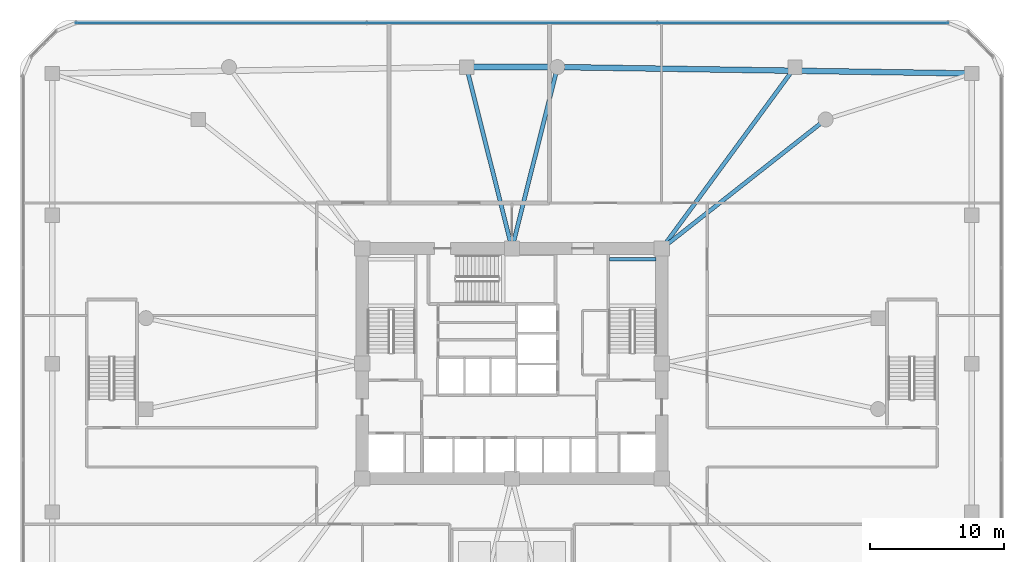
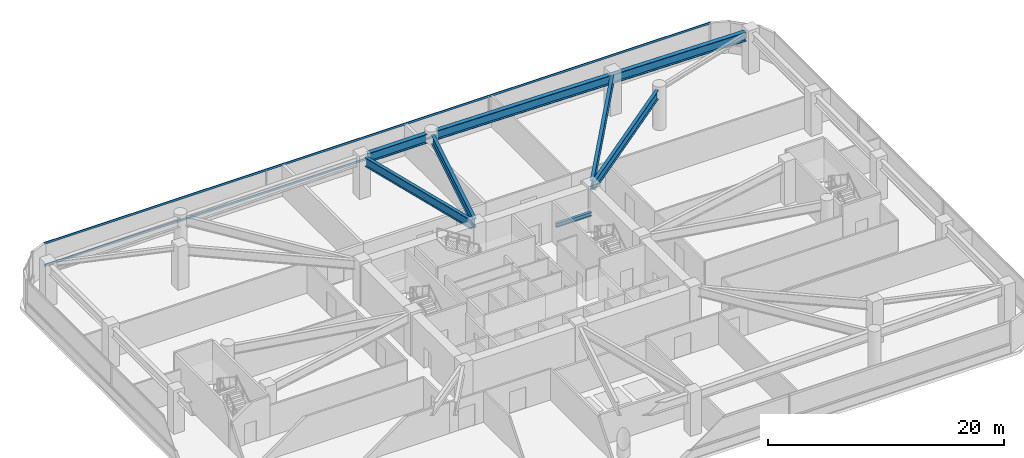
# One storey, part 7 of 21: 7 beams, 2 members, 1 element without a shape of its own.
"""IFC4 building model written with IfcOpenShell, lengths in metres."""

from ifc_helpers import new_model, si_unit, derived_unit, direction, frame, origin, origin_2d, place, context, subcontext, project, spatial, rectangle, i_section, extrude, material, material_profile, profile_set, type_object, element, aggregate, save


model = new_model("IFC4")

# Units and contexts
model_context = context("Model", 3, precision=1e-05, world=origin(), true_north=direction((0.0, 1.0)))
body_context = subcontext(model_context, "Body", "Model", "MODEL_VIEW")
ifc_project = project(units=[si_unit("LENGTHUNIT", "METRE"), si_unit("AREAUNIT", "SQUARE_METRE"), si_unit("VOLUMEUNIT", "CUBIC_METRE"), si_unit("PLANEANGLEUNIT", "RADIAN"), si_unit("MASSUNIT", "GRAM", prefix="KILO"), derived_unit("THERMALTRANSMITTANCEUNIT", [(si_unit("POWERUNIT", "WATT"), 1), (si_unit("LENGTHUNIT", "METRE"), -2), (si_unit("THERMODYNAMICTEMPERATUREUNIT", "KELVIN"), -1)])], contexts=[model_context])

# Site, building, storey
site_placement = place(None, origin())
site = spatial("IfcSite", under=ifc_project, at=site_placement, CompositionType="ELEMENT")
building_placement = place(site_placement, origin())
building = spatial("IfcBuilding", under=site, at=building_placement, Name="Koralith Skygarden Medical Center", CompositionType="ELEMENT")
storey_placement = place(building_placement, frame((0.0, 0.0, 9.89990234375)))
storey = spatial("IfcBuildingStorey", under=building, at=storey_placement, Name="L02", CompositionType="ELEMENT", Elevation=9.89990234375)

# Curtain wall, members
ifc_material_1 = material(Name="Clear Laminated Glass", Category="glass")
curtain_wall_type = type_object("IfcCurtainWallType", Name="CW-1 Transit & Podium Acoustic Curtain Wall", PredefinedType="NOTDEFINED", material=ifc_material_1)
curtain_wall_placement = place(storey_placement, origin())
curtain_wall = element("IfcCurtainWall", 1, at=curtain_wall_placement, inside=storey, type_object=curtain_wall_type, Name="Curtain Wall CW-L02-N", PredefinedType="NOTDEFINED")
ifc_material_2 = material(Name="Aluminium 6063-T6", Category="aluminium")
ifc_material_profile_1 = material_profile(ifc_material_2, rectangle(XDim=0.06298828125, YDim=0.216064453125, at=origin_2d()), Name="TRN63X216")
ifc_profile_set_1 = profile_set([ifc_material_profile_1], Name="Aluminium 6063-T6")
member_type = type_object("IfcMemberType", Name="CW-1 Thermal Transom 63x216", PredefinedType="USERDEFINED", material=ifc_profile_set_1)
member_1_placement = place(storey_placement, frame((69.62109375, 51.3798828125, 0.900146484375), z_axis=(-1.0, 0.0, 0.0), x_axis=(0.0, -1.0, 0.0)))
member_1 = element("IfcMember", 2, at=member_1_placement, type_object=member_type, Name="CW-L02-N Transom 1", ObjectType="TRANSOM", PredefinedType="USERDEFINED", context=body_context, shape_type="SweptSolid", body=[
    extrude(rectangle(XDim=0.06298828125, YDim=0.216064453125, at=origin_2d()), origin(), (0.0, 0.0, 1.0), 65.2421875),
])
member_2_placement = place(storey_placement, frame((69.62109375, 51.3798828125, 3.190185546875), z_axis=(-1.0, 0.0, 0.0), x_axis=(0.0, -1.0, 0.0)))
member_2 = element("IfcMember", 3, at=member_2_placement, type_object=member_type, Name="CW-L02-N Transom 2", ObjectType="TRANSOM", PredefinedType="USERDEFINED", context=body_context, shape_type="SweptSolid", body=[
    extrude(rectangle(XDim=0.06298828125, YDim=0.216064453125, at=origin_2d()), origin(), (0.0, 0.0, 1.0), 65.2421875),
])
aggregate(curtain_wall, [member_1, member_2])

# Beams
ifc_material_3 = material(Name="Steel ASTM A992 Grade 50", Category="steel")
ifc_material_profile_2 = material_profile(ifc_material_3, i_section(OverallWidth=0.260009765625, OverallDepth=0.4150390625, WebThickness=0.010009765625, FlangeThickness=0.016845703125, at=origin_2d()), Name="W16X67")
ifc_profile_set_2 = profile_set([ifc_material_profile_2], Name="Steel ASTM A992 Grade 50")
beam_type_1 = type_object("IfcBeamType", Name="Clinical Floor Joist W16X67", PredefinedType="JOIST", material=ifc_profile_set_2)
beam_1_placement = place(storey_placement, frame((44.280029296875, 33.699951171875, 1.843017578125), z_axis=(1.0, 0.0, 0.0), x_axis=(0.0, 1.0, 0.0)))
element("IfcBeam", 4, at=beam_1_placement, inside=storey, type_object=beam_type_1, Name="L02 Stair ST2 Half-Landing Support Beam 1B", PredefinedType="JOIST", context=body_context, shape_type="SweptSolid", body=[
    extrude(i_section(OverallWidth=0.260009765625, OverallDepth=0.4150390625, WebThickness=0.010009765625, FlangeThickness=0.016845703125, at=origin_2d()), origin(), (0.0, 0.0, 1.0), 3.489990234375),
])
ifc_material_profile_3 = material_profile(ifc_material_3, i_section(OverallWidth=0.423095703125, OverallDepth=0.947998046875, WebThickness=0.02392578125, FlangeThickness=0.042724609375, at=origin_2d()), Name="W36X302")
ifc_profile_set_3 = profile_set([ifc_material_profile_3], Name="Steel ASTM A992 Grade 50")
beam_type_2 = type_object("IfcBeamType", Name="Podium Concourse Girder W36X302", PredefinedType="BEAM", material=ifc_profile_set_3)
beam_2_placement = place(storey_placement, frame((70.8798828125, 47.60791015625, 3.72607421875), z_axis=(-0.999880035237, 0.015489194131, 0.0), x_axis=(-0.015489194131, -0.999880035237, 0.0)))
element("IfcBeam", 5, at=beam_2_placement, inside=storey, type_object=beam_type_2, Name="L02 Podium Perimeter Beam PB-09", PredefinedType="BEAM", context=body_context, shape_type="SweptSolid", body=[
    extrude(i_section(OverallWidth=0.423095703125, OverallDepth=0.947998046875, WebThickness=0.02392578125, FlangeThickness=0.042724609375, at=origin_2d()), origin(), (0.0, 0.0, 1.0), 29.963623046875),
])
beam_3_placement = place(storey_placement, frame((39.8798828125, 48.080078125, 3.72607421875), z_axis=(-1.0, 0.0, 0.0), x_axis=(0.0, -1.0, 0.0)))
element("IfcBeam", 6, at=beam_3_placement, inside=storey, type_object=beam_type_2, Name="L02 Podium Perimeter Beam PB-10", PredefinedType="BEAM", context=body_context, shape_type="SweptSolid", body=[
    extrude(i_section(OverallWidth=0.423095703125, OverallDepth=0.947998046875, WebThickness=0.02392578125, FlangeThickness=0.042724609375, at=origin_2d()), origin(), (0.0, 0.0, 1.0), 5.759765625),
])
ifc_material_profile_4 = material_profile(ifc_material_3, i_section(OverallWidth=0.30810546875, OverallDepth=0.943115234375, WebThickness=0.022216796875, FlangeThickness=0.039794921875, at=origin_2d()), Name="W36X232")
ifc_profile_set_4 = profile_set([ifc_material_profile_4], Name="Steel ASTM A992 Grade 50")
beam_type_3 = type_object("IfcBeamType", Name="Surgical Platform Girder W36X232", PredefinedType="BEAM", material=ifc_profile_set_4)
beam_4_placement = place(storey_placement, frame((48.639892578125, 34.846923828125, 3.72802734375), z_axis=(0.785504791859, 0.618855574401, 0.0), x_axis=(-0.618855574401, 0.785504791859, 0.0)))
element("IfcBeam", 7, at=beam_4_placement, inside=storey, type_object=beam_type_3, Name="L02 Podium Radial Girder PRG-10", PredefinedType="BEAM", context=body_context, shape_type="SweptSolid", body=[
    extrude(i_section(OverallWidth=0.30810546875, OverallDepth=0.943115234375, WebThickness=0.022216796875, FlangeThickness=0.039794921875, at=origin_2d()), origin(), (0.0, 0.0, 1.0), 14.5283203125),
])
beam_5_placement = place(storey_placement, frame((48.531005859375, 34.950927734375, 3.72802734375), z_axis=(0.591712691958, 0.806148925556, 0.0), x_axis=(-0.806148925556, 0.591712691958, 0.0)))
element("IfcBeam", 8, at=beam_5_placement, inside=storey, type_object=beam_type_3, Name="L02 Podium Radial Girder PRG-11", PredefinedType="BEAM", context=body_context, shape_type="SweptSolid", body=[
    extrude(i_section(OverallWidth=0.30810546875, OverallDepth=0.943115234375, WebThickness=0.022216796875, FlangeThickness=0.039794921875, at=origin_2d()), origin(), (0.0, 0.0, 1.0), 15.766357421875),
])
for number, where, z_axis, x_axis, name in (
    (9, (37.135986328125, 35.04296875, 3.72802734375), (0.242877971824, 0.970056849263, 0.0), (-0.970056849263, 0.242877971824, 0.0), "L02 Podium Radial Girder PRG-12"),
    (10, (36.864013671875, 35.04296875, 3.72802734375), (-0.242877971824, 0.970056849263, 0.0), (-0.970056849263, -0.242877971824, 0.0), "L02 Podium Radial Girder PRG-13"),
):
    element("IfcBeam", number, at=place(storey_placement, frame(where, z_axis=z_axis, x_axis=x_axis)), inside=storey, type_object=beam_type_3, Name=name, PredefinedType="BEAM", context=body_context, shape_type="SweptSolid", body=[
        extrude(i_section(OverallWidth=0.30810546875, OverallDepth=0.943115234375, WebThickness=0.022216796875, FlangeThickness=0.039794921875, at=origin_2d()), origin(), (0.0, 0.0, 1.0), 12.919921875),
    ])

save(model, "model.ifc")
